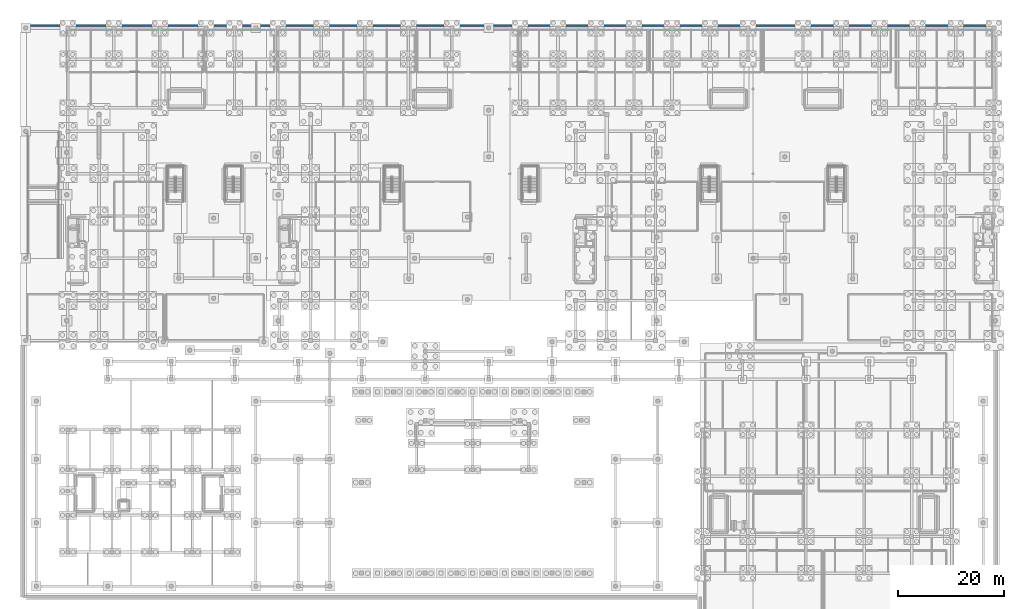
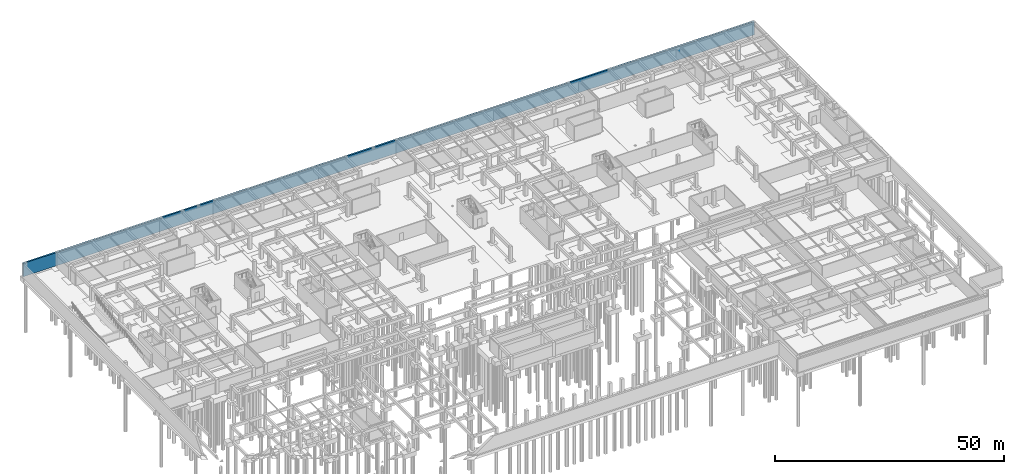
# One storey, part 22 of 35: 1 wall.
"""IFC4 building model written with IfcOpenShell, lengths in metres."""

from ifc_helpers import new_model, si_unit, direction, frame, frame_2d, origin, place, context, subcontext, project, spatial, rectangle, extrude, material, layer, layer_set, type_object, element, save


model = new_model("IFC4")

# Units and contexts
model_context = context("Model", 3, precision=1e-05, world=origin(), true_north=direction((0.0, 1.0)))
body_context = subcontext(model_context, "Body", "Model", "MODEL_VIEW")
ifc_project = project(units=[si_unit("LENGTHUNIT", "METRE"), si_unit("AREAUNIT", "SQUARE_METRE"), si_unit("VOLUMEUNIT", "CUBIC_METRE"), si_unit("PLANEANGLEUNIT", "RADIAN"), si_unit("MASSUNIT", "GRAM", prefix="KILO")], contexts=[model_context])

# Site, building, storey
site_placement = place(None, origin())
site = spatial("IfcSite", under=ifc_project, at=site_placement, CompositionType="ELEMENT")
building_placement = place(site_placement, origin())
building = spatial("IfcBuilding", under=site, at=building_placement, Name="Keldmere Railside Commons", CompositionType="ELEMENT")
storey_placement = place(building_placement, frame((0.0, 0.0, -3.840087890625)))
storey = spatial("IfcBuildingStorey", under=building, at=storey_placement, Name="B1", CompositionType="ELEMENT", Elevation=-3.840087890625)

# Wall
ifc_material = material(Name="Concrete H-40 (C40/50)", Category="concrete")
ifc_layer = layer(ifc_material, 0.419921875, Name="Basement Retaining Wall 420")
ifc_layer_set = layer_set([ifc_layer], Name="Concrete H-40 (C40/50)")
wall_type = type_object("IfcWallType", Name="Basement Retaining Wall 420", PredefinedType="SOLIDWALL", material=ifc_layer_set)
wall_placement = place(storey_placement, frame((0.0, 116.0, 0.0), z_axis=(0.0, 0.0, 1.0), x_axis=(1.0, 0.0, 0.0)))
element("IfcWall", 1, at=wall_placement, inside=storey, type_object=wall_type, Name="RW-1 RW-B1-0002", PredefinedType="SOLIDWALL", context=body_context, shape_type="SweptSolid", body=[
    extrude(rectangle(XDim=184.0, YDim=0.419921875, at=frame_2d((92.0, 0.0))), origin(), (0.0, 0.0, 1.0), 3.5400390625),
])

save(model, "model.ifc")
